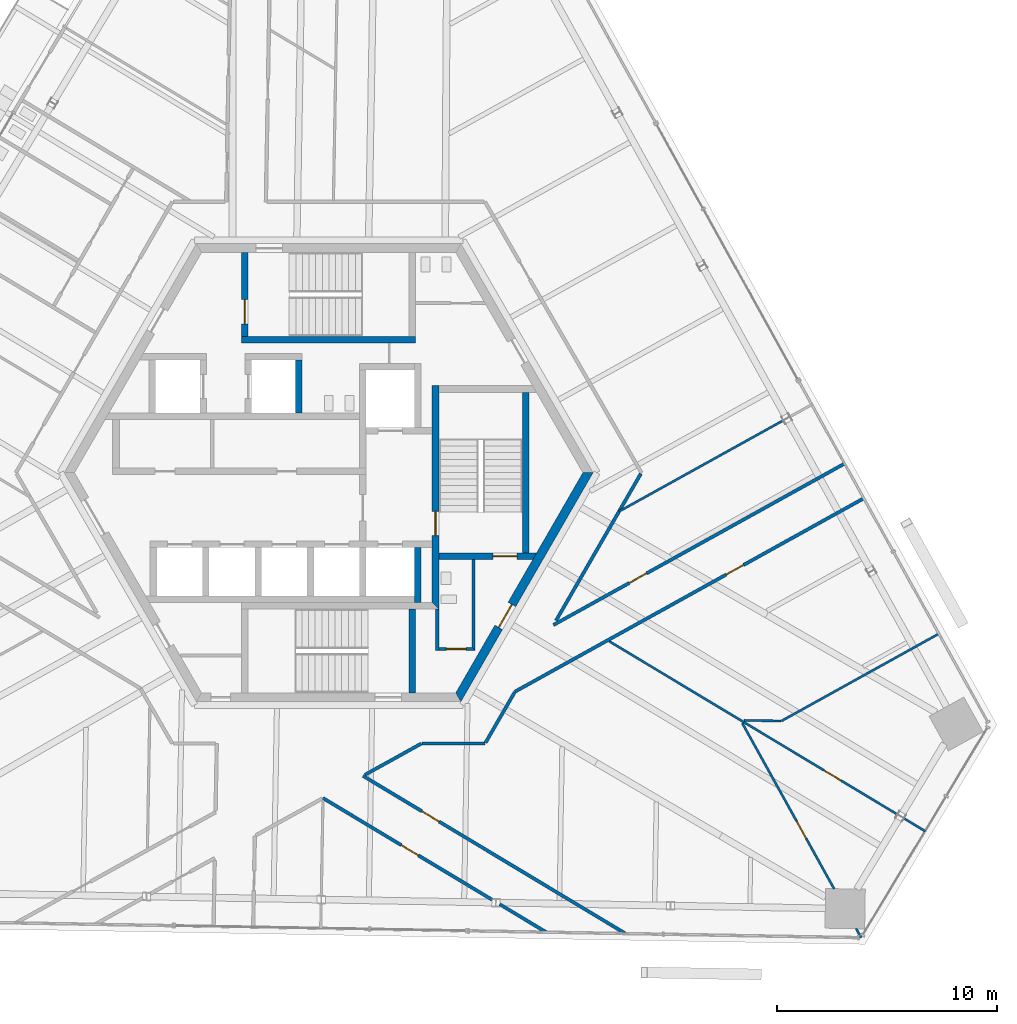
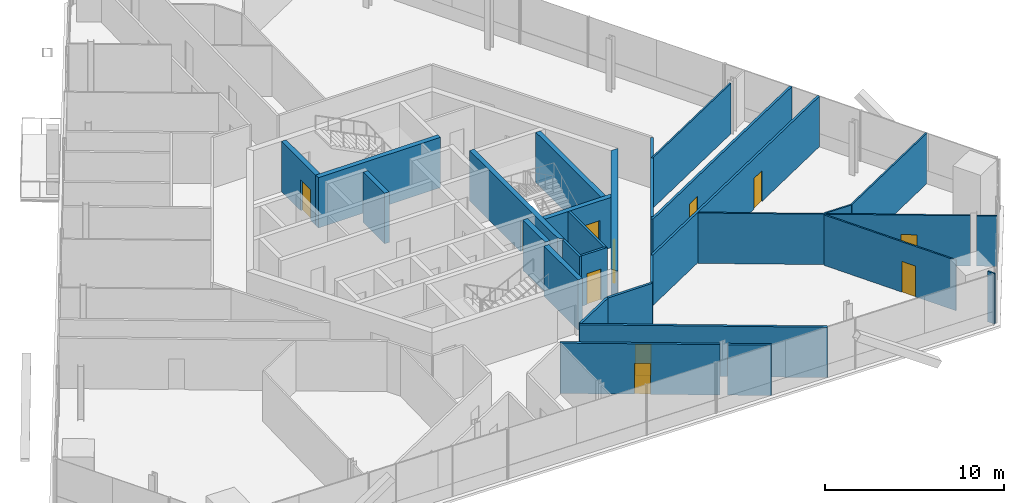
# One storey, part 13 of 19: 28 walls, 11 doors, 11 openings.
"""IFC4 building model written with IfcOpenShell, lengths in metres."""

from ifc_helpers import new_model, si_unit, direction, frame, frame_2d, origin, place, context, subcontext, project, spatial, polyline, rectangle, outline, extrude, source, transform, mapped, material, layer, layer_set, type_object, element, fill, save


model = new_model("IFC4")

# Units and contexts
model_context = context("Model", 3, precision=1e-05, world=origin(), true_north=direction((0.0, 1.0)))
body_context = subcontext(model_context, "Body", "Model", "MODEL_VIEW")
ifc_project = project(units=[si_unit("LENGTHUNIT", "METRE"), si_unit("AREAUNIT", "SQUARE_METRE"), si_unit("VOLUMEUNIT", "CUBIC_METRE"), si_unit("PLANEANGLEUNIT", "RADIAN"), si_unit("MASSUNIT", "GRAM", prefix="KILO")], contexts=[model_context])

# Site, building, storey
site_placement = place(None, origin())
site = spatial("IfcSite", under=ifc_project, at=site_placement, CompositionType="ELEMENT")
building_placement = place(site_placement, origin())
building = spatial("IfcBuilding", under=site, at=building_placement, Name="Triune Harvest Tower", CompositionType="ELEMENT")
storey_placement = place(building_placement, frame((0.0, 0.0, 183.5)))
storey = spatial("IfcBuildingStorey", under=building, at=storey_placement, Name="L47", CompositionType="ELEMENT", Elevation=183.5)

# Wall, opening, door
ifc_material_1 = material(Name="Gypsum board on steel studs", Category="steel")
ifc_layer_1 = layer(ifc_material_1, 0.10009765625)
ifc_layer_set_1 = layer_set([ifc_layer_1], Name="Gypsum board on steel studs")
wall_type_1 = type_object("IfcWallType", Name="Partition 100 mm", PredefinedType="PARTITIONING", material=ifc_layer_set_1)
wall_1_placement = place(storey_placement, frame((18.7724609375, -11.36767578125, 0.0), z_axis=(0.0, 0.0, 1.0), x_axis=(0.48481100984, -0.874618936874, 0.0)))
wall_1 = element("IfcWall", 1, at=wall_1_placement, inside=storey, type_object=wall_type_1, Name="Partition L47 002", PredefinedType="PARTITIONING", context=body_context, shape_type="SweptSolid", body=[
    extrude(rectangle(XDim=8.5986328125, YDim=0.10009765625, at=frame_2d((4.29931640625, 0.0))), origin(), (0.0, 0.0, 1.0), 3.43994140625),
])
opening_1_placement = place(wall_1_placement, frame((5.080078125, 0.0, 0.0)))
opening_1 = element("IfcOpeningElement", 2, at=opening_1_placement, cuts=wall_1, Name="Opening L47-024", PredefinedType="OPENING", context=body_context, shape_type="SweptSolid", body=[
    extrude(rectangle(XDim=0.89990234375, YDim=2.10009765625, at=frame_2d((0.449951171875, 1.050048828125))), frame((0.0, 0.06005859375, 0.0), z_axis=(0.0, -1.0, 0.0), x_axis=(1.0, 0.0, 0.0)), (0.0, 0.0, 1.0), 0.1201171875),
])
ifc_material_2 = material(Name="Timber and steel door set", Category="steel")
door_type_1 = type_object("IfcDoorType", Name="Single leaf door right hand 900 x 2100", OperationType="SINGLE_SWING_RIGHT", PredefinedType="DOOR", material=ifc_material_2)
door_1_placement = place(opening_1_placement, origin())
door_1 = element("IfcDoor", 3, at=door_1_placement, inside=storey, type_object=door_type_1, Name="Door L47-024 Meeting Room 47.24", OperationType="SINGLE_SWING_RIGHT", OverallHeight=2.10009765625, OverallWidth=0.89990234375, PredefinedType="DOOR", context=body_context, shape_type="SweptSolid", body=[
    extrude(rectangle(XDim=0.89990234375, YDim=2.10009765625, at=frame_2d((0.449951171875, 1.050048828125))), frame((0.0, 0.02490234375, 0.0), z_axis=(0.0, -1.0, 0.0), x_axis=(1.0, 0.0, 0.0)), (0.0, 0.0, 1.0), 0.050048828125),
])
fill(opening_1, door_1)

# Walls
wall_2_placement = place(storey_placement, frame((23.9375, -20.685791015625, 0.0), z_axis=(0.0, 0.0, 1.0), x_axis=(0.484729049618, -0.874664363317, 0.0)))
element("IfcWall", 4, at=wall_2_placement, inside=storey, type_object=wall_type_1, Name="Partition L47 003", PredefinedType="PARTITIONING", context=body_context, shape_type="SweptSolid", body=[
    extrude(rectangle(XDim=0.4765625, YDim=0.10009765625, at=frame_2d((0.23828125, 0.0))), origin(), (0.0, 0.0, 1.0), 3.43994140625),
])
wall_3_placement = place(storey_placement, frame((18.85009765625, -11.23876953125, 0.0), z_axis=(0.0, 0.0, 1.0), x_axis=(0.99984711866, -0.017485402711, 0.0)))
element("IfcWall", 5, at=wall_3_placement, inside=storey, type_object=wall_type_1, Name="Partition L47 027", PredefinedType="PARTITIONING", context=body_context, shape_type="SweptSolid", body=[
    extrude(rectangle(XDim=1.689453125, YDim=0.10009765625, at=frame_2d((0.8447265625, 0.0))), origin(), (0.0, 0.0, 1.0), 3.43994140625),
])

# Wall, opening, door
ifc_material_3 = material(Name="Concrete 70 MPa", Category="concrete")
ifc_layer_2 = layer(ifc_material_3, 0.39990234375)
ifc_layer_set_2 = layer_set([ifc_layer_2], Name="Concrete 70 MPa")
wall_type_2 = type_object("IfcWallType", Name="Core wall 400", PredefinedType="SHEAR", material=ifc_layer_set_2)
shared_shape_1 = source(origin(), body_context, "Body", "SweptSolid", [
    extrude(outline(polyline([(-0.115478515625, -0.199951171875), (11.884521484375, -0.199951171875), (11.653564453125, 0.199951171875), (0.115478515625, 0.199951171875), (-0.115478515625, -0.199951171875)])), origin(), (0.0, 0.0, 1.0), 3.43994140625),
])
wall_4_placement = place(storey_placement, frame((5.884521484375, -10.1923828125, 0.0), z_axis=(0.0, 0.0, 1.0), x_axis=(0.499996592174, 0.866027371285, 0.0)))
wall_4 = element("IfcWall", 6, at=wall_4_placement, inside=storey, type_object=wall_type_2, Name="Hexagon 5 wall", PredefinedType="SHEAR", context=body_context, shape_type="MappedRepresentation", body=[
    mapped(shared_shape_1, transform((0.0, 0.0, 0.0), scale=1.0)),
])
opening_2_placement = place(wall_4_placement, frame((3.66455078125, 0.0, 0.0)))
opening_2 = element("IfcOpeningElement", 7, at=opening_2_placement, cuts=wall_4, Name="Opening CD-DP", PredefinedType="OPENING", context=body_context, shape_type="SweptSolid", body=[
    extrude(rectangle(XDim=1.199951171875, YDim=2.10009765625, at=frame_2d((0.60009765625, 1.050048828125))), frame((0.0, 0.2099609375, 0.0), z_axis=(0.0, -1.0, 0.0), x_axis=(1.0, 0.0, 0.0)), (0.0, 0.0, 1.0), 0.419921875),
])
ifc_material_4 = material(Name="Steel S235", Category="steel")
door_type_2 = type_object("IfcDoorType", Name="Stair door 1200 FD120", OperationType="SINGLE_SWING_LEFT", PredefinedType="DOOR", material=ifc_material_4)
door_2_placement = place(opening_2_placement, frame((1.199951171875, 0.0, 0.0), z_axis=(0.0, 0.0, 1.0), x_axis=(-1.0, 0.0, 0.0)))
door_2 = element("IfcDoor", 8, at=door_2_placement, inside=storey, type_object=door_type_2, Name="Door CD-DP", OperationType="SINGLE_SWING_RIGHT", OverallHeight=2.10009765625, OverallWidth=1.199951171875, PredefinedType="DOOR", context=body_context, shape_type="SweptSolid", body=[
    extrude(rectangle(XDim=1.199951171875, YDim=2.10009765625, at=frame_2d((0.60009765625, 1.050048828125))), frame((0.0, 0.02490234375, 0.0), z_axis=(0.0, -1.0, 0.0), x_axis=(1.0, 0.0, 0.0)), (0.0, 0.0, 1.0), 0.050048828125),
])
fill(opening_2, door_2)

# Wall
ifc_material_5 = material(Name="Concrete 70 MPa", Category="concrete")
ifc_layer_3 = layer(ifc_material_5, 0.300048828125)
ifc_layer_set_3 = layer_set([ifc_layer_3], Name="Concrete 70 MPa")
wall_type_3 = type_object("IfcWallType", Name="Core wall 300", PredefinedType="SHEAR", material=ifc_layer_set_3)
shared_shape_2 = source(origin(), body_context, "Body", "SweptSolid", [
    extrude(rectangle(XDim=2.5, YDim=0.300048828125, at=frame_2d((1.25, 0.0))), origin(), (0.0, 0.0, 1.0), 3.43994140625),
])
wall_5_placement = place(storey_placement, frame((4.050048828125, -5.889892578125, 0.0), z_axis=(0.0, 0.0, 1.0), x_axis=(0.0, 1.0, 0.0)))
element("IfcWall", 9, at=wall_5_placement, inside=storey, type_object=wall_type_3, Name="Ff2 east wall", PredefinedType="SHEAR", context=body_context, shape_type="MappedRepresentation", body=[
    mapped(shared_shape_2, transform((0.0, 0.0, 0.0), scale=1.0)),
])

# Wall, opening, door
shared_shape_3 = source(origin(), body_context, "Body", "SweptSolid", [
    extrude(outline(polyline([(-0.14990234375, -0.14990234375), (9.989990234375, -0.14990234375), (9.989990234375, 0.14990234375), (0.14990234375, 0.14990234375), (-0.14990234375, -0.14990234375)])), origin(), (0.0, 0.0, 1.0), 3.43994140625),
])
wall_6_placement = place(storey_placement, frame((4.85009765625, -6.0400390625, 0.0), z_axis=(0.0, 0.0, 1.0), x_axis=(0.0, 1.0, 0.0)))
wall_6 = element("IfcWall", 10, at=wall_6_placement, inside=storey, type_object=wall_type_3, Name="Stair e west wall", PredefinedType="SHEAR", context=body_context, shape_type="MappedRepresentation", body=[
    mapped(shared_shape_3, transform((0.0, 0.0, 0.0), scale=1.0)),
])
opening_3_placement = place(wall_6_placement, frame((3.18994140625, 0.0, 0.0)))
opening_3 = element("IfcOpeningElement", 11, at=opening_3_placement, cuts=wall_6, Name="Opening CD-S3L", PredefinedType="OPENING", context=body_context, shape_type="SweptSolid", body=[
    extrude(rectangle(XDim=1.10009765625, YDim=2.10009765625, at=frame_2d((0.550048828125, 1.050048828125))), frame((0.0, 0.16015625, 0.0), z_axis=(0.0, -1.0, 0.0), x_axis=(1.0, 0.0, 0.0)), (0.0, 0.0, 1.0), 0.320068359375),
])
ifc_material_6 = material(Name="Steel S235", Category="steel")
door_type_3 = type_object("IfcDoorType", Name="Stair door 1100 FD120", OperationType="SINGLE_SWING_LEFT", PredefinedType="DOOR", material=ifc_material_6)
door_3_placement = place(opening_3_placement, frame((1.10009765625, 0.0, 0.0), z_axis=(0.0, 0.0, 1.0), x_axis=(-1.0, 0.0, 0.0)))
door_3 = element("IfcDoor", 12, at=door_3_placement, inside=storey, type_object=door_type_3, Name="Door CD-S3L", OperationType="SINGLE_SWING_RIGHT", OverallHeight=2.10009765625, OverallWidth=1.10009765625, PredefinedType="DOOR", context=body_context, shape_type="SweptSolid", body=[
    extrude(rectangle(XDim=1.10009765625, YDim=2.10009765625, at=frame_2d((0.550048828125, 1.050048828125))), frame((0.0, 0.02490234375, 0.0), z_axis=(0.0, -1.0, 0.0), x_axis=(1.0, 0.0, 0.0)), (0.0, 0.0, 1.0), 0.050048828125),
])
fill(opening_3, door_3)

shared_shape_4 = source(origin(), body_context, "Body", "SweptSolid", [
    extrude(outline(polyline([(0.0, -0.14990234375), (0.0, 0.14990234375), (4.43310546875, 0.14990234375), (4.260009765625, -0.14990234375), (0.0, -0.14990234375)])), origin(), (0.0, 0.0, 1.0), 3.43994140625),
])
wall_7_placement = place(storey_placement, frame((5.0, -3.800048828125, 0.0), z_axis=(0.0, 0.0, 1.0), x_axis=(1.0, 0.0, 0.0)))
wall_7 = element("IfcWall", 13, at=wall_7_placement, inside=storey, type_object=wall_type_3, Name="Stair e south wall", PredefinedType="SHEAR", context=body_context, shape_type="MappedRepresentation", body=[
    mapped(shared_shape_4, transform((0.0, 0.0, 0.0), scale=1.0)),
])
opening_4_placement = place(wall_7_placement, frame((2.449951171875, 0.0, 0.0)))
opening_4 = element("IfcOpeningElement", 14, at=opening_4_placement, cuts=wall_7, Name="Opening CD-S3D", PredefinedType="OPENING", context=body_context, shape_type="SweptSolid", body=[
    extrude(rectangle(XDim=1.10009765625, YDim=2.10009765625, at=frame_2d((0.550048828125, 1.050048828125))), frame((0.0, 0.16015625, 0.0), z_axis=(0.0, -1.0, 0.0), x_axis=(1.0, 0.0, 0.0)), (0.0, 0.0, 1.0), 0.320068359375),
])
door_4_placement = place(opening_4_placement, frame((1.10009765625, 0.0, 0.0), z_axis=(0.0, 0.0, 1.0), x_axis=(-1.0, 0.0, 0.0)))
door_4 = element("IfcDoor", 15, at=door_4_placement, inside=storey, type_object=door_type_3, Name="Door CD-S3D", OperationType="SINGLE_SWING_RIGHT", OverallHeight=2.10009765625, OverallWidth=1.10009765625, PredefinedType="DOOR", context=body_context, shape_type="SweptSolid", body=[
    extrude(rectangle(XDim=1.10009765625, YDim=2.10009765625, at=frame_2d((0.550048828125, 1.050048828125))), frame((0.0, 0.02490234375, 0.0), z_axis=(0.0, -1.0, 0.0), x_axis=(1.0, 0.0, 0.0)), (0.0, 0.0, 1.0), 0.050048828125),
])
fill(opening_4, door_4)

# Walls
shared_shape_5 = source(origin(), body_context, "Body", "SweptSolid", [
    extrude(rectangle(XDim=7.2998046875, YDim=0.300048828125, at=frame_2d((3.64990234375, 0.0))), origin(), (0.0, 0.0, 1.0), 3.43994140625),
])
wall_8_placement = place(storey_placement, frame((8.949951171875, -3.64990234375, 0.0), z_axis=(0.0, 0.0, 1.0), x_axis=(0.0, 1.0, 0.0)))
element("IfcWall", 16, at=wall_8_placement, inside=storey, type_object=wall_type_3, Name="Stair e east wall", PredefinedType="SHEAR", context=body_context, shape_type="MappedRepresentation", body=[
    mapped(shared_shape_5, transform((0.0, 0.0, 0.0), scale=1.0)),
])
shared_shape_6 = source(origin(), body_context, "Body", "SweptSolid", [
    extrude(rectangle(XDim=7.89990234375, YDim=0.300048828125, at=frame_2d((3.949951171875, 0.0))), origin(), (0.0, 0.0, 1.0), 3.43994140625),
])
wall_9_placement = place(storey_placement, frame((-3.949951171875, 6.0400390625, 0.0), z_axis=(0.0, 0.0, 1.0), x_axis=(1.0, 0.0, 0.0)))
element("IfcWall", 17, at=wall_9_placement, inside=storey, type_object=wall_type_3, Name="Stair n south wall", PredefinedType="SHEAR", context=body_context, shape_type="MappedRepresentation", body=[
    mapped(shared_shape_6, transform((0.0, 0.0, 0.0), scale=1.0)),
])

# Wall, opening, door
shared_shape_7 = source(origin(), body_context, "Body", "SweptSolid", [
    extrude(outline(polyline([(0.0, -0.14990234375), (0.0, 0.14990234375), (3.80419921875, 0.14990234375), (3.80419921875, -0.14990234375), (0.0, -0.14990234375)])), origin(), (0.0, 0.0, 1.0), 3.43994140625),
])
wall_10_placement = place(storey_placement, frame((-3.800048828125, 6.18994140625, 0.0), z_axis=(0.0, 0.0, 1.0), x_axis=(0.0, 1.0, 0.0)))
wall_10 = element("IfcWall", 18, at=wall_10_placement, inside=storey, type_object=wall_type_3, Name="Stair n west wall", PredefinedType="SHEAR", context=body_context, shape_type="MappedRepresentation", body=[
    mapped(shared_shape_7, transform((0.0, 0.0, 0.0), scale=1.0)),
])
opening_5_placement = place(wall_10_placement, frame((0.56005859375, 0.0, 0.0)))
opening_5 = element("IfcOpeningElement", 19, at=opening_5_placement, cuts=wall_10, Name="Opening CD-S1L", PredefinedType="OPENING", context=body_context, shape_type="SweptSolid", body=[
    extrude(rectangle(XDim=1.10009765625, YDim=2.10009765625, at=frame_2d((0.550048828125, 1.050048828125))), frame((0.0, 0.16015625, 0.0), z_axis=(0.0, -1.0, 0.0), x_axis=(1.0, 0.0, 0.0)), (0.0, 0.0, 1.0), 0.320068359375),
])
door_5_placement = place(opening_5_placement, frame((1.10009765625, 0.0, 0.0), z_axis=(0.0, 0.0, 1.0), x_axis=(-1.0, 0.0, 0.0)))
door_5 = element("IfcDoor", 20, at=door_5_placement, inside=storey, type_object=door_type_3, Name="Door CD-S1L", OperationType="SINGLE_SWING_RIGHT", OverallHeight=2.10009765625, OverallWidth=1.10009765625, PredefinedType="DOOR", context=body_context, shape_type="SweptSolid", body=[
    extrude(rectangle(XDim=1.10009765625, YDim=2.10009765625, at=frame_2d((0.550048828125, 1.050048828125))), frame((0.0, 0.02490234375, 0.0), z_axis=(0.0, -1.0, 0.0), x_axis=(1.0, 0.0, 0.0)), (0.0, 0.0, 1.0), 0.050048828125),
])
fill(opening_5, door_5)

# Walls
shared_shape_8 = source(origin(), body_context, "Body", "SweptSolid", [
    extrude(outline(polyline([(3.800048828125, -0.14990234375), (-0.00439453125, -0.14990234375), (-0.00439453125, 0.14990234375), (3.800048828125, 0.14990234375), (3.800048828125, -0.14990234375)])), origin(), (0.0, 0.0, 1.0), 3.43994140625),
])
wall_11_placement = place(storey_placement, frame((3.800048828125, -9.989990234375, 0.0), z_axis=(0.0, 0.0, 1.0), x_axis=(0.0, 1.0, 0.0)))
element("IfcWall", 21, at=wall_11_placement, inside=storey, type_object=wall_type_3, Name="Stair s east wall", PredefinedType="SHEAR", context=body_context, shape_type="MappedRepresentation", body=[
    mapped(shared_shape_8, transform((0.0, 0.0, 0.0), scale=1.0)),
])
shared_shape_9 = source(origin(), body_context, "Body", "SweptSolid", [
    extrude(rectangle(XDim=2.400146484375, YDim=0.300048828125, at=frame_2d((1.2001953125, 0.0))), origin(), (0.0, 0.0, 1.0), 3.43994140625),
])
wall_12_placement = place(storey_placement, frame((-1.35009765625, 2.7099609375, 0.0), z_axis=(0.0, 0.0, 1.0), x_axis=(0.0, 1.0, 0.0)))
element("IfcWall", 22, at=wall_12_placement, inside=storey, type_object=wall_type_3, Name="Sv2 east wall", PredefinedType="SHEAR", context=body_context, shape_type="MappedRepresentation", body=[
    mapped(shared_shape_9, transform((0.0, 0.0, 0.0), scale=1.0)),
])

# Wall, opening, door
ifc_material_7 = material(Name="Concrete masonry unit", Category="masonry")
ifc_layer_4 = layer(ifc_material_7, 0.14990234375)
ifc_layer_set_4 = layer_set([ifc_layer_4], Name="Concrete masonry unit")
wall_type_4 = type_object("IfcWallType", Name="Block partition 150 unrated", PredefinedType="PARTITIONING", material=ifc_layer_set_4)
shared_shape_10 = source(origin(), body_context, "Body", "SweptSolid", [
    extrude(outline(polyline([(0.0, -0.074951171875), (1.64990234375, -0.074951171875), (1.5, 0.074951171875), (0.0, 0.074951171875), (0.0, -0.074951171875)])), origin(), (0.0, 0.0, 1.0), 3.43994140625),
])
wall_13_placement = place(storey_placement, frame((5.0, -8.0, 0.0), z_axis=(0.0, 0.0, 1.0), x_axis=(1.0, 0.0, 0.0)))
wall_13 = element("IfcWall", 23, at=wall_13_placement, inside=storey, type_object=wall_type_4, Name="Wc acc south wall", PredefinedType="PARTITIONING", context=body_context, shape_type="MappedRepresentation", body=[
    mapped(shared_shape_10, transform((0.0, 0.0, 0.0), scale=1.0)),
])
opening_6_placement = place(wall_13_placement, frame((0.33740234375, 0.0, 0.0)))
opening_6 = element("IfcOpeningElement", 24, at=opening_6_placement, cuts=wall_13, Name="Opening CD-WA", PredefinedType="OPENING", context=body_context, shape_type="SweptSolid", body=[
    extrude(rectangle(XDim=0.89990234375, YDim=2.10009765625, at=frame_2d((0.449951171875, 1.050048828125))), frame((0.0, 0.0849609375, 0.0), z_axis=(0.0, -1.0, 0.0), x_axis=(1.0, 0.0, 0.0)), (0.0, 0.0, 1.0), 0.169921875),
])
ifc_material_8 = material(Name="Timber C24", Category="wood")
door_type_4 = type_object("IfcDoorType", Name="WC door 900", OperationType="SINGLE_SWING_LEFT", PredefinedType="DOOR", material=ifc_material_8)
door_6_placement = place(opening_6_placement, origin())
door_6 = element("IfcDoor", 25, at=door_6_placement, inside=storey, type_object=door_type_4, Name="Door CD-WA", OperationType="SINGLE_SWING_LEFT", OverallHeight=2.10009765625, OverallWidth=0.89990234375, PredefinedType="DOOR", context=body_context, shape_type="SweptSolid", body=[
    extrude(rectangle(XDim=0.89990234375, YDim=2.10009765625, at=frame_2d((0.449951171875, 1.050048828125))), frame((0.0, 0.02490234375, 0.0), z_axis=(0.0, -1.0, 0.0), x_axis=(1.0, 0.0, 0.0)), (0.0, 0.0, 1.0), 0.050048828125),
])
fill(opening_6, door_6)

# Walls
shared_shape_11 = source(origin(), body_context, "Body", "SweptSolid", [
    extrude(outline(polyline([(-0.074951171875, -0.074951171875), (4.050048828125, -0.074951171875), (4.050048828125, 0.074951171875), (0.074951171875, 0.074951171875), (-0.074951171875, -0.074951171875)])), origin(), (0.0, 0.0, 1.0), 3.43994140625),
])
wall_14_placement = place(storey_placement, frame((6.574951171875, -8.0, 0.0), z_axis=(0.0, 0.0, 1.0), x_axis=(0.0, 1.0, 0.0)))
element("IfcWall", 26, at=wall_14_placement, inside=storey, type_object=wall_type_4, Name="Wc acc east wall", PredefinedType="PARTITIONING", context=body_context, shape_type="MappedRepresentation", body=[
    mapped(shared_shape_11, transform((0.0, 0.0, 0.0), scale=1.0)),
])
shared_shape_12 = source(origin(), body_context, "Body", "SweptSolid", [
    extrude(rectangle(XDim=1.885009765625, YDim=0.14990234375, at=frame_2d((0.9423828125, 0.0))), origin(), (0.0, 0.0, 1.0), 3.43994140625),
])
wall_15_placement = place(storey_placement, frame((4.925048828125, -8.074951171875, 0.0), z_axis=(0.0, 0.0, 1.0), x_axis=(0.0, 1.0, 0.0)))
element("IfcWall", 27, at=wall_15_placement, inside=storey, type_object=wall_type_4, Name="Wc acc west wall", PredefinedType="PARTITIONING", context=body_context, shape_type="MappedRepresentation", body=[
    mapped(shared_shape_12, transform((0.0, 0.0, 0.0), scale=1.0)),
])

# Wall, opening, door
ifc_material_9 = material(Name="Gypsum board on steel studs", Category="steel")
ifc_layer_5 = layer(ifc_material_9, 0.14990234375)
ifc_layer_set_5 = layer_set([ifc_layer_5], Name="Gypsum board on steel studs")
wall_type_5 = type_object("IfcWallType", Name="Fire Partition 150 mm", PredefinedType="PARTITIONING", material=ifc_layer_set_5)
shared_shape_13 = source(origin(), body_context, "Body", "SweptSolid", [
    extrude(rectangle(XDim=8.951171875, YDim=0.14990234375, at=frame_2d((4.4755859375, 0.0))), origin(), (0.0, 0.0, 1.0), 3.43994140625),
])
wall_16_placement = place(storey_placement, frame((-0.2578125, -14.767333984375, 0.0), z_axis=(0.0, 0.0, 1.0), x_axis=(0.857170270936, -0.515033131578, 0.0)))
wall_16 = element("IfcWall", 28, at=wall_16_placement, inside=storey, type_object=wall_type_5, Name="Partition L47 008", PredefinedType="PARTITIONING", context=body_context, shape_type="MappedRepresentation", body=[
    mapped(shared_shape_13, transform((0.0, 0.0, 0.0), scale=1.0)),
])
opening_7_placement = place(wall_16_placement, frame((4.14990234375, 0.0, 0.0)))
opening_7 = element("IfcOpeningElement", 29, at=opening_7_placement, cuts=wall_16, Name="Opening L47-022", PredefinedType="OPENING", context=body_context, shape_type="SweptSolid", body=[
    extrude(rectangle(XDim=0.89990234375, YDim=2.10009765625, at=frame_2d((0.449951171875, 1.050048828125))), frame((0.0, 0.0849609375, 0.0), z_axis=(0.0, -1.0, 0.0), x_axis=(1.0, 0.0, 0.0)), (0.0, 0.0, 1.0), 0.169921875),
])
ifc_material_10 = material(Name="Timber and steel door set", Category="steel")
door_type_5 = type_object("IfcDoorType", Name="Single leaf door FD30 left hand 900 x 2100", OperationType="SINGLE_SWING_LEFT", PredefinedType="DOOR", material=ifc_material_10)
door_7_placement = place(opening_7_placement, origin())
door_7 = element("IfcDoor", 30, at=door_7_placement, inside=storey, type_object=door_type_5, Name="Door L47-022 Dry Store Room 47.22", OperationType="SINGLE_SWING_LEFT", OverallHeight=2.10009765625, OverallWidth=0.89990234375, PredefinedType="DOOR", context=body_context, shape_type="SweptSolid", body=[
    extrude(rectangle(XDim=0.89990234375, YDim=2.10009765625, at=frame_2d((0.449951171875, 1.050048828125))), frame((0.0, 0.02490234375, 0.0), z_axis=(0.0, -1.0, 0.0), x_axis=(1.0, 0.0, 0.0)), (0.0, 0.0, 1.0), 0.050048828125),
])
fill(opening_7, door_7)

# Wall
shared_shape_14 = source(origin(), body_context, "Body", "SweptSolid", [
    extrude(rectangle(XDim=2.458740234375, YDim=0.14990234375, at=frame_2d((1.2294921875, 0.0))), origin(), (0.0, 0.0, 1.0), 3.43994140625),
])
wall_17_placement = place(storey_placement, frame((7.761962890625, -19.586181640625, 0.0), z_axis=(0.0, 0.0, 1.0), x_axis=(0.857177370327, -0.515021315868, 0.0)))
element("IfcWall", 31, at=wall_17_placement, inside=storey, type_object=wall_type_5, Name="Partition L47 009", PredefinedType="PARTITIONING", context=body_context, shape_type="MappedRepresentation", body=[
    mapped(shared_shape_14, transform((0.0, 0.0, 0.0), scale=1.0)),
])

# Wall, opening, door
shared_shape_15 = source(origin(), body_context, "Body", "SweptSolid", [
    extrude(rectangle(XDim=13.893310546875, YDim=0.14990234375, at=frame_2d((6.94677734375, 0.0))), origin(), (0.0, 0.0, 1.0), 3.43994140625),
])
wall_18_placement = place(storey_placement, frame((1.56005859375, -13.759765625, 0.0), z_axis=(0.0, 0.0, 1.0), x_axis=(0.857170249707, -0.515033166909, 0.0)))
wall_18 = element("IfcWall", 32, at=wall_18_placement, inside=storey, type_object=wall_type_5, Name="Partition L47 011", PredefinedType="PARTITIONING", context=body_context, shape_type="MappedRepresentation", body=[
    mapped(shared_shape_15, transform((0.0, 0.0, 0.0), scale=1.0)),
])
opening_8_placement = place(wall_18_placement, frame((3.125, 0.0, 0.0)))
opening_8 = element("IfcOpeningElement", 33, at=opening_8_placement, cuts=wall_18, Name="Opening L47-023", PredefinedType="OPENING", context=body_context, shape_type="SweptSolid", body=[
    extrude(rectangle(XDim=0.89990234375, YDim=2.10009765625, at=frame_2d((0.449951171875, 1.050048828125))), frame((0.0, 0.0849609375, 0.0), z_axis=(0.0, -1.0, 0.0), x_axis=(1.0, 0.0, 0.0)), (0.0, 0.0, 1.0), 0.169921875),
])
door_8_placement = place(opening_8_placement, origin())
door_8 = element("IfcDoor", 34, at=door_8_placement, inside=storey, type_object=door_type_5, Name="Door L47-023 Open Office 47.23", OperationType="SINGLE_SWING_LEFT", OverallHeight=2.10009765625, OverallWidth=0.89990234375, PredefinedType="DOOR", context=body_context, shape_type="SweptSolid", body=[
    extrude(rectangle(XDim=0.89990234375, YDim=2.10009765625, at=frame_2d((0.449951171875, 1.050048828125))), frame((0.0, 0.02490234375, 0.0), z_axis=(0.0, -1.0, 0.0), x_axis=(1.0, 0.0, 0.0)), (0.0, 0.0, 1.0), 0.050048828125),
])
fill(opening_8, door_8)

# Wall
shared_shape_16 = source(origin(), body_context, "Body", "SweptSolid", [
    extrude(rectangle(XDim=1.13037109375, YDim=0.10009765625, at=frame_2d((0.565185546875, 0.0))), origin(), (0.0, 0.0, 1.0), 3.43994140625),
])
wall_19_placement = place(storey_placement, frame((26.104736328125, -15.685302734375, 0.0), z_axis=(0.0, 0.0, 1.0), x_axis=(0.857149738065, -0.515067302919, 0.0)))
element("IfcWall", 35, at=wall_19_placement, inside=storey, type_object=wall_type_1, Name="Partition L47 018", PredefinedType="PARTITIONING", context=body_context, shape_type="MappedRepresentation", body=[
    mapped(shared_shape_16, transform((0.0, 0.0, 0.0), scale=1.0)),
])

# Wall, opening, door
shared_shape_17 = source(origin(), body_context, "Body", "SweptSolid", [
    extrude(rectangle(XDim=15.251953125, YDim=0.10009765625, at=frame_2d((7.6259765625, 0.0))), origin(), (0.0, 0.0, 1.0), 3.43994140625),
])
wall_20_placement = place(storey_placement, frame((12.737060546875, -7.6533203125, 0.0), z_axis=(0.0, 0.0, 1.0), x_axis=(0.857170730104, -0.515032367385, 0.0)))
wall_20 = element("IfcWall", 36, at=wall_20_placement, inside=storey, type_object=wall_type_1, Name="Partition L47 017", PredefinedType="PARTITIONING", context=body_context, shape_type="MappedRepresentation", body=[
    mapped(shared_shape_17, transform((0.0, 0.0, 0.0), scale=1.0)),
])
opening_9_placement = place(wall_20_placement, frame((11.37548828125, 0.0, 0.0)))
opening_9 = element("IfcOpeningElement", 37, at=opening_9_placement, cuts=wall_20, Name="Opening L47-025", PredefinedType="OPENING", context=body_context, shape_type="SweptSolid", body=[
    extrude(rectangle(XDim=0.89990234375, YDim=2.10009765625, at=frame_2d((0.449951171875, 1.050048828125))), frame((0.0, 0.06005859375, 0.0), z_axis=(0.0, -1.0, 0.0), x_axis=(1.0, 0.0, 0.0)), (0.0, 0.0, 1.0), 0.1201171875),
])
door_9_placement = place(opening_9_placement, origin())
door_9 = element("IfcDoor", 38, at=door_9_placement, inside=storey, type_object=door_type_1, Name="Door L47-025 Pantry 47.25", OperationType="SINGLE_SWING_RIGHT", OverallHeight=2.10009765625, OverallWidth=0.89990234375, PredefinedType="DOOR", context=body_context, shape_type="SweptSolid", body=[
    extrude(rectangle(XDim=0.89990234375, YDim=2.10009765625, at=frame_2d((0.449951171875, 1.050048828125))), frame((0.0, 0.02490234375, 0.0), z_axis=(0.0, -1.0, 0.0), x_axis=(1.0, 0.0, 0.0)), (0.0, 0.0, 1.0), 0.050048828125),
])
fill(opening_9, door_9)

# Walls
shared_shape_18 = source(origin(), body_context, "Body", "SweptSolid", [
    extrude(rectangle(XDim=2.86962890625, YDim=0.14990234375, at=frame_2d((1.434814453125, 0.0))), origin(), (0.0, 0.0, 1.0), 3.43994140625),
])
wall_21_placement = place(storey_placement, frame((4.227294921875, -12.292236328125, 0.0), z_axis=(0.0, 0.0, 1.0), x_axis=(1.0, 0.0, 0.0)))
element("IfcWall", 39, at=wall_21_placement, inside=storey, type_object=wall_type_5, Name="Partition L47 029", PredefinedType="PARTITIONING", context=body_context, shape_type="MappedRepresentation", body=[
    mapped(shared_shape_18, transform((0.0, 0.0, 0.0), scale=1.0)),
])
shared_shape_19 = source(origin(), body_context, "Body", "SweptSolid", [
    extrude(rectangle(XDim=8.16748046875, YDim=0.10009765625, at=frame_2d((4.083740234375, 0.0))), origin(), (0.0, 0.0, 1.0), 3.43994140625),
])
wall_22_placement = place(storey_placement, frame((20.54931640625, -11.2685546875, 0.0), z_axis=(0.0, 0.0, 1.0), x_axis=(0.874613731282, 0.484820400822, 0.0)))
element("IfcWall", 40, at=wall_22_placement, inside=storey, type_object=wall_type_1, Name="Partition L47 032", PredefinedType="PARTITIONING", context=body_context, shape_type="MappedRepresentation", body=[
    mapped(shared_shape_19, transform((0.0, 0.0, 0.0), scale=1.0)),
])
shared_shape_20 = source(origin(), body_context, "Body", "SweptSolid", [
    extrude(rectangle(XDim=2.916748046875, YDim=0.14990234375, at=frame_2d((1.45849609375, 0.0))), origin(), (0.0, 0.0, 1.0), 3.43994140625),
])
wall_23_placement = place(storey_placement, frame((1.656494140625, -13.706298828125, 0.0), z_axis=(0.0, 0.0, 1.0), x_axis=(0.874618829719, 0.484811203152, 0.0)))
element("IfcWall", 41, at=wall_23_placement, inside=storey, type_object=wall_type_5, Name="Partition L47 036", PredefinedType="PARTITIONING", context=body_context, shape_type="MappedRepresentation", body=[
    mapped(shared_shape_20, transform((0.0, 0.0, 0.0), scale=1.0)),
])

# Wall, opening, door
shared_shape_21 = source(origin(), body_context, "Body", "SweptSolid", [
    extrude(rectangle(XDim=18.09814453125, YDim=0.14990234375, at=frame_2d((9.049072265625, 0.0))), origin(), (0.0, 0.0, 1.0), 3.43994140625),
])
wall_24_placement = place(storey_placement, frame((8.456787109375, -9.936767578125, 0.0), z_axis=(0.0, 0.0, 1.0), x_axis=(0.874617575563, 0.484813465692, 0.0)))
wall_24 = element("IfcWall", 42, at=wall_24_placement, inside=storey, type_object=wall_type_5, Name="Partition L47 037", PredefinedType="PARTITIONING", context=body_context, shape_type="MappedRepresentation", body=[
    mapped(shared_shape_21, transform((0.0, 0.0, 0.0), scale=1.0)),
])
opening_10_placement = place(wall_24_placement, frame((10.955810546875, 0.0, 0.0)))
opening_10 = element("IfcOpeningElement", 43, at=opening_10_placement, cuts=wall_24, Name="Opening L47-002", PredefinedType="OPENING", context=body_context, shape_type="SweptSolid", body=[
    extrude(rectangle(XDim=0.89990234375, YDim=2.10009765625, at=frame_2d((0.449951171875, 1.050048828125))), frame((0.0, 0.0849609375, 0.0), z_axis=(0.0, -1.0, 0.0), x_axis=(1.0, 0.0, 0.0)), (0.0, 0.0, 1.0), 0.169921875),
])
door_10_placement = place(opening_10_placement, origin())
door_10 = element("IfcDoor", 44, at=door_10_placement, inside=storey, type_object=door_type_5, Name="Door L47-002 Office 47.02", OperationType="SINGLE_SWING_LEFT", OverallHeight=2.10009765625, OverallWidth=0.89990234375, PredefinedType="DOOR", context=body_context, shape_type="SweptSolid", body=[
    extrude(rectangle(XDim=0.89990234375, YDim=2.10009765625, at=frame_2d((0.449951171875, 1.050048828125))), frame((0.0, 0.02490234375, 0.0), z_axis=(0.0, -1.0, 0.0), x_axis=(1.0, 0.0, 0.0)), (0.0, 0.0, 1.0), 0.050048828125),
])
fill(opening_10, door_10)

shared_shape_22 = source(origin(), body_context, "Body", "SweptSolid", [
    extrude(rectangle(XDim=15.102294921875, YDim=0.14990234375, at=frame_2d((7.55126953125, 0.0))), origin(), (0.0, 0.0, 1.0), 3.43994140625),
])
wall_25_placement = place(storey_placement, frame((10.204345703125, -6.91015625, 0.0), z_axis=(0.0, 0.0, 1.0), x_axis=(0.874618217, 0.484812308519, 0.0)))
wall_25 = element("IfcWall", 45, at=wall_25_placement, inside=storey, type_object=wall_type_5, Name="Partition L47 039", PredefinedType="PARTITIONING", context=body_context, shape_type="MappedRepresentation", body=[
    mapped(shared_shape_22, transform((0.0, 0.0, 0.0), scale=1.0)),
])
opening_11_placement = place(wall_25_placement, frame((3.93310546875, 0.0, 0.0)))
opening_11 = element("IfcOpeningElement", 46, at=opening_11_placement, cuts=wall_25, Name="Opening L47-001", PredefinedType="OPENING", context=body_context, shape_type="SweptSolid", body=[
    extrude(rectangle(XDim=0.89990234375, YDim=2.10009765625, at=frame_2d((0.449951171875, 1.050048828125))), frame((0.0, 0.0849609375, 0.0), z_axis=(0.0, -1.0, 0.0), x_axis=(1.0, 0.0, 0.0)), (0.0, 0.0, 1.0), 0.169921875),
])
door_11_placement = place(opening_11_placement, origin())
door_11 = element("IfcDoor", 47, at=door_11_placement, inside=storey, type_object=door_type_5, Name="Door L47-001 Meeting Room 47.01", OperationType="SINGLE_SWING_LEFT", OverallHeight=2.10009765625, OverallWidth=0.89990234375, PredefinedType="DOOR", context=body_context, shape_type="SweptSolid", body=[
    extrude(rectangle(XDim=0.89990234375, YDim=2.10009765625, at=frame_2d((0.449951171875, 1.050048828125))), frame((0.0, 0.02490234375, 0.0), z_axis=(0.0, -1.0, 0.0), x_axis=(1.0, 0.0, 0.0)), (0.0, 0.0, 1.0), 0.050048828125),
])
fill(opening_11, door_11)

# Walls
shared_shape_23 = source(origin(), body_context, "Body", "SweptSolid", [
    extrude(rectangle(XDim=8.52978515625, YDim=0.10009765625, at=frame_2d((4.264892578125, 0.0))), origin(), (0.0, 0.0, 1.0), 3.43994140625),
])
wall_26_placement = place(storey_placement, frame((13.1787109375, -1.7587890625, 0.0), z_axis=(0.0, 0.0, 1.0), x_axis=(0.874607833569, 0.484831040116, 0.0)))
element("IfcWall", 48, at=wall_26_placement, inside=storey, type_object=wall_type_1, Name="Partition L47 040", PredefinedType="PARTITIONING", context=body_context, shape_type="MappedRepresentation", body=[
    mapped(shared_shape_23, transform((0.0, 0.0, 0.0), scale=1.0)),
])
shared_shape_24 = source(origin(), body_context, "Body", "SweptSolid", [
    extrude(rectangle(XDim=2.64990234375, YDim=0.14990234375, at=frame_2d((1.324951171875, 0.0))), origin(), (0.0, 0.0, 1.0), 3.43994140625),
])
wall_27_placement = place(storey_placement, frame((7.121826171875, -12.2490234375, 0.0), z_axis=(0.0, 0.0, 1.0), x_axis=(0.499993606316, 0.866029095148, 0.0)))
element("IfcWall", 49, at=wall_27_placement, inside=storey, type_object=wall_type_5, Name="Partition L47 045", PredefinedType="PARTITIONING", context=body_context, shape_type="MappedRepresentation", body=[
    mapped(shared_shape_24, transform((0.0, 0.0, 0.0), scale=1.0)),
])
shared_shape_25 = source(origin(), body_context, "Body", "SweptSolid", [
    extrude(rectangle(XDim=7.69921875, YDim=0.14990234375, at=frame_2d((3.849609375, 0.0))), origin(), (0.0, 0.0, 1.0), 3.43994140625),
])
wall_28_placement = place(storey_placement, frame((10.3193359375, -6.7109375, 0.0), z_axis=(0.0, 0.0, 1.0), x_axis=(0.49999968603, 0.866025585055, 0.0)))
element("IfcWall", 50, at=wall_28_placement, inside=storey, type_object=wall_type_5, Name="Partition L47 046", PredefinedType="PARTITIONING", context=body_context, shape_type="MappedRepresentation", body=[
    mapped(shared_shape_25, transform((0.0, 0.0, 0.0), scale=1.0)),
])

save(model, "model.ifc")
